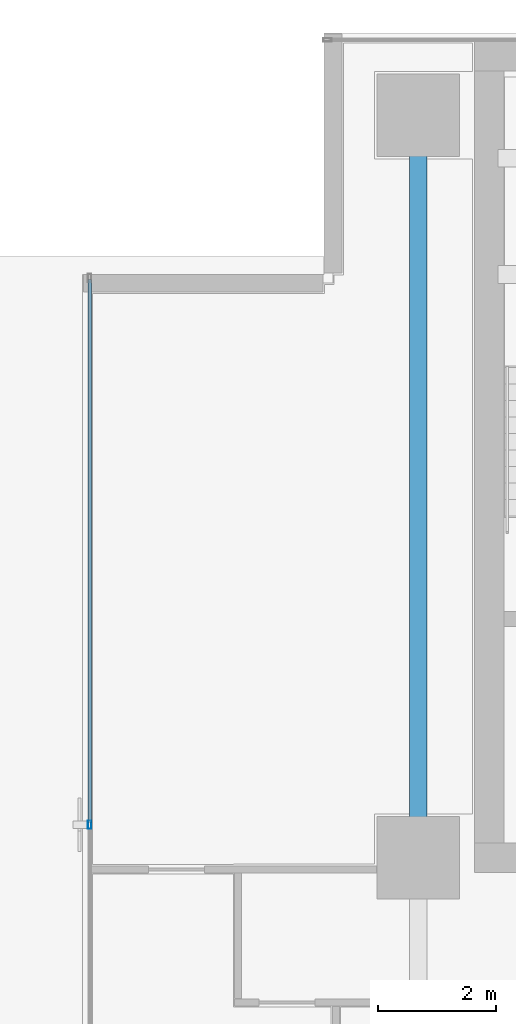
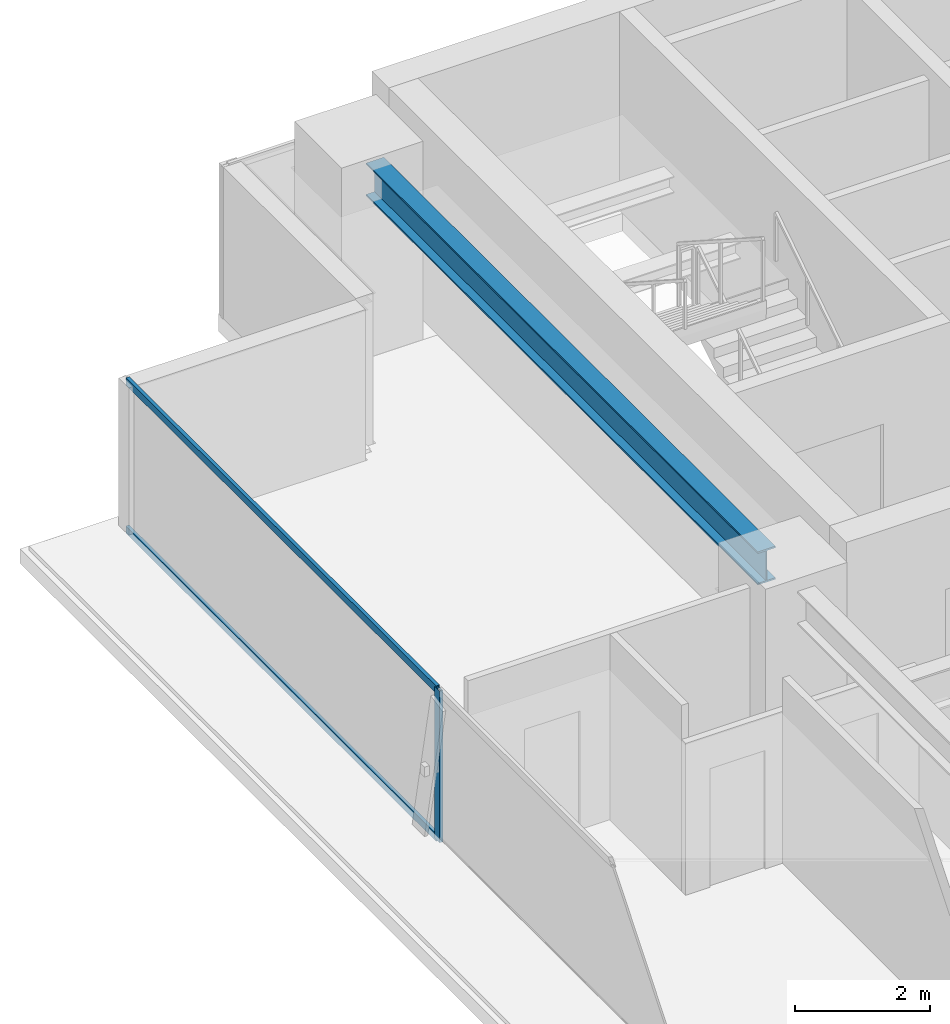
# One storey, part 8 of 27: 3 members, 1 beam, 1 element without a shape of its own.
"""IFC4 building model written with IfcOpenShell, lengths in metres."""

from ifc_helpers import new_model, si_unit, direction, frame, origin, origin_2d, place, context, subcontext, project, spatial, hollow_rectangle, i_section, extrude, source, transform, mapped, material, layer, layer_set, material_profile, profile_set, type_object, element, aggregate, save


model = new_model("IFC4")

# Units and contexts
model_context = context("Model", 3, precision=1e-05, world=origin(), true_north=direction((0.0, 1.0)))
body_context = subcontext(model_context, "Body", "Model", "MODEL_VIEW")
ifc_project = project(units=[si_unit("LENGTHUNIT", "METRE"), si_unit("AREAUNIT", "SQUARE_METRE"), si_unit("VOLUMEUNIT", "CUBIC_METRE"), si_unit("PLANEANGLEUNIT", "RADIAN"), si_unit("MASSUNIT", "GRAM", prefix="KILO")], contexts=[model_context])

# Site, building, storey
site_placement = place(None, origin())
site = spatial("IfcSite", under=ifc_project, at=site_placement, CompositionType="ELEMENT")
building_placement = place(site_placement, origin())
building = spatial("IfcBuilding", under=site, at=building_placement, Name="Sumidabori Civic Tower", CompositionType="ELEMENT")
storey_placement = place(building_placement, frame((0.0, 0.0, 228.800048828125)))
storey = spatial("IfcBuildingStorey", under=building, at=storey_placement, Name="L59", CompositionType="ELEMENT", Elevation=228.800048828125)

# Beam
ifc_material_1 = material(Name="Steel SN490", Category="steel")
ifc_material_profile_1 = material_profile(ifc_material_1, i_section(OverallWidth=0.300048828125, OverallDepth=0.60009765625, WebThickness=0.015380859375, FlangeThickness=0.030029296875, at=origin_2d()), Name="HE 600 B")
ifc_profile_set_1 = profile_set([ifc_material_profile_1], Name="Steel SN490")
beam_type = type_object("IfcBeamType", Name="BM-GIRD-600", PredefinedType="BEAM", material=ifc_profile_set_1)
shared_shape_1 = source(origin(), body_context, "Body", "SweptSolid", [
    extrude(i_section(OverallWidth=0.300048828125, OverallDepth=0.60009765625, WebThickness=0.015380859375, FlangeThickness=0.030029296875, at=origin_2d()), origin(), (0.0, 0.0, 1.0), 11.64013671875),
])
beam_placement = place(storey_placement, frame((-16.800048828125, 10.679931640625, 3.070068359375), z_axis=(0.0, 1.0, 0.0), x_axis=(-1.0, 0.0, 0.0)))
element("IfcBeam", 1, at=beam_placement, inside=storey, type_object=beam_type, Name="Primary Girder L59 GY-07", PredefinedType="BEAM", context=body_context, shape_type="MappedRepresentation", body=[
    mapped(shared_shape_1, transform((0.0, 0.0, 0.0), x_axis=(1.0, 0.0, 0.0), y_axis=(0.0, 1.0, 0.0), z_axis=(0.0, 0.0, 1.0), scale=1.0)),
])

# Curtain wall, members
ifc_material_2 = material(Name="Anodised Bronze Aluminium AW-6063-T6", Category="aluminium")
ifc_layer = layer(ifc_material_2, 0.179931640625, Name="Anodised Bronze Aluminium AW-6063-T6")
ifc_layer_set = layer_set([ifc_layer], Name="Anodised Bronze Aluminium AW-6063-T6")
curtain_wall_type = type_object("IfcCurtainWallType", Name="CW-SYS-5", PredefinedType="NOTDEFINED", material=ifc_layer_set)
curtain_wall_placement = place(storey_placement, origin())
curtain_wall = element("IfcCurtainWall", 2, at=curtain_wall_placement, inside=storey, type_object=curtain_wall_type, Name="Curtain Wall CW:L59:R11", PredefinedType="NOTDEFINED")
ifc_material_profile_2 = material_profile(ifc_material_2, hollow_rectangle(XDim=0.06005859375, YDim=0.139892578125, WallThickness=0.0048828125, at=origin_2d()), Name="ALU MULLION 140x60")
ifc_profile_set_2 = profile_set([ifc_material_profile_2], Name="Anodised Bronze Aluminium AW-6063-T6")
member_type_1 = type_object("IfcMemberType", Name="CW-MUL-140", PredefinedType="MULLION", material=ifc_profile_set_2)
shared_shape_2 = source(origin(), body_context, "Body", "SweptSolid", [
    extrude(hollow_rectangle(XDim=0.06005859375, YDim=0.139892578125, WallThickness=0.0048828125, at=origin_2d()), origin(), (0.0, 0.0, 1.0), 2.75),
])
member_1_placement = place(storey_placement, frame((-22.3798828125, 10.756591796875, 0.0), z_axis=(0.0, 0.0, 1.0), x_axis=(1.0, 0.0, 0.0)))
member_1 = element("IfcMember", 3, at=member_1_placement, type_object=member_type_1, Name="CW-5 mullion 2", PredefinedType="MULLION", context=body_context, shape_type="MappedRepresentation", body=[
    mapped(shared_shape_2, transform((0.0, 0.0, 0.0), x_axis=(1.0, 0.0, 0.0), y_axis=(0.0, 1.0, 0.0), z_axis=(0.0, 0.0, 1.0), scale=1.0)),
])
ifc_material_profile_3 = material_profile(ifc_material_2, hollow_rectangle(XDim=0.06005859375, YDim=0.1298828125, WallThickness=0.0048828125, at=origin_2d()), Name="ALU TRANSOM 130x60")
ifc_profile_set_3 = profile_set([ifc_material_profile_3], Name="Anodised Bronze Aluminium AW-6063-T6")
member_type_2 = type_object("IfcMemberType", Name="CW-TRN-130", PredefinedType="USERDEFINED", material=ifc_profile_set_3)
shared_shape_3 = source(origin(), body_context, "Body", "SweptSolid", [
    extrude(hollow_rectangle(XDim=0.06005859375, YDim=0.1298828125, WallThickness=0.0048828125, at=origin_2d()), origin(), (0.0, 0.0, 1.0), 9.223388671875),
])
member_2_placement = place(storey_placement, frame((-22.3798828125, 20.010009765625, 0.030029296875), z_axis=(0.0, -1.0, 0.0), x_axis=(1.0, 0.0, 0.0)))
member_2 = element("IfcMember", 4, at=member_2_placement, type_object=member_type_2, Name="CW-5 transom 1.1", ObjectType="TRANSOM", PredefinedType="USERDEFINED", context=body_context, shape_type="MappedRepresentation", body=[
    mapped(shared_shape_3, transform((0.0, 0.0, 0.0), x_axis=(1.0, 0.0, 0.0), y_axis=(0.0, 1.0, 0.0), z_axis=(0.0, 0.0, 1.0), scale=1.0)),
])
member_3_placement = place(storey_placement, frame((-22.3798828125, 20.010009765625, 2.719970703125), z_axis=(0.0, -1.0, 0.0), x_axis=(1.0, 0.0, 0.0)))
member_3 = element("IfcMember", 5, at=member_3_placement, type_object=member_type_2, Name="CW-5 transom 1.2", ObjectType="TRANSOM", PredefinedType="USERDEFINED", context=body_context, shape_type="MappedRepresentation", body=[
    mapped(shared_shape_3, transform((0.0, 0.0, 0.0), x_axis=(1.0, 0.0, 0.0), y_axis=(0.0, 1.0, 0.0), z_axis=(0.0, 0.0, 1.0), scale=1.0)),
])
aggregate(curtain_wall, [member_1, member_2, member_3])

save(model, "model.ifc")
